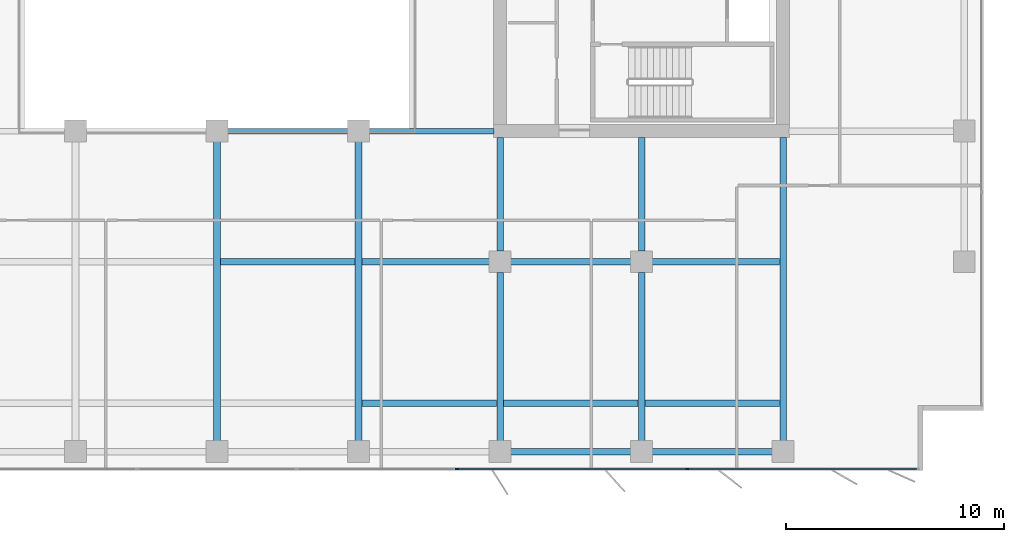
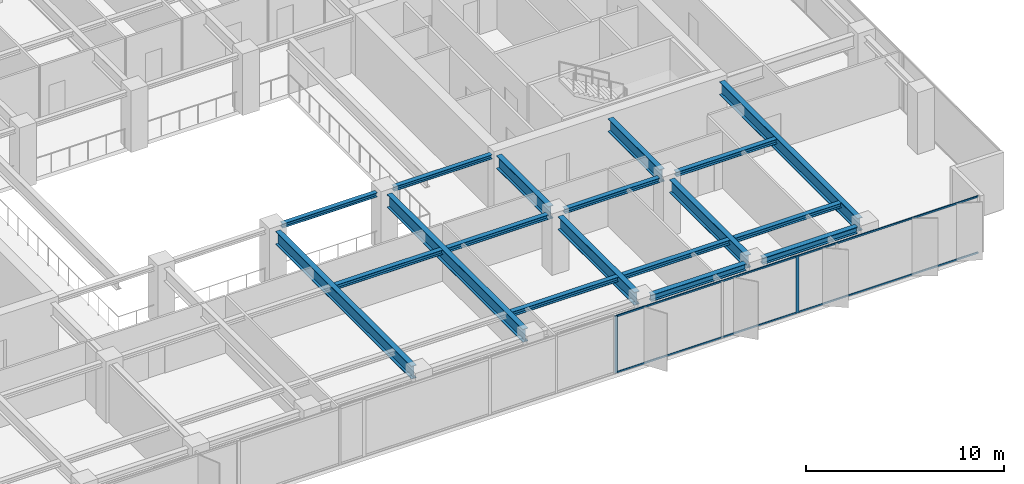
# One storey, part 6 of 22: 18 beams, 6 members, 1 element without a shape of its own.
"""IFC4 building model written with IfcOpenShell, lengths in metres."""

from ifc_helpers import new_model, si_unit, direction, frame, origin, origin_2d, place, context, subcontext, project, spatial, rectangle, i_section, extrude, material, layer, layer_set, material_profile, profile_set, type_object, element, aggregate, save


model = new_model("IFC4")

# Units and contexts
model_context = context("Model", 3, precision=1e-05, world=origin(), true_north=direction((0.0, 1.0)))
body_context = subcontext(model_context, "Body", "Model", "MODEL_VIEW")
ifc_project = project(units=[si_unit("LENGTHUNIT", "METRE"), si_unit("AREAUNIT", "SQUARE_METRE"), si_unit("VOLUMEUNIT", "CUBIC_METRE"), si_unit("PLANEANGLEUNIT", "RADIAN"), si_unit("MASSUNIT", "GRAM", prefix="KILO")], contexts=[model_context])

# Site, building, storey
site_placement = place(None, origin())
site = spatial("IfcSite", under=ifc_project, at=site_placement, CompositionType="ELEMENT")
building_placement = place(site_placement, origin())
building = spatial("IfcBuilding", under=site, at=building_placement, Name="Putna Gate Headquarters", CompositionType="ELEMENT")
storey_placement = place(building_placement, frame((0.0, 0.0, 193.60009765625)))
storey = spatial("IfcBuildingStorey", under=building, at=storey_placement, Name="L48", CompositionType="ELEMENT", Elevation=193.60009765625)

# Beams
ifc_material_1 = material(Name="Steel S355J2", Category="steel")
ifc_material_profile_1 = material_profile(ifc_material_1, i_section(OverallWidth=0.260009765625, OverallDepth=0.260009765625, WebThickness=0.010009765625, FlangeThickness=0.017578125, at=origin_2d()), Name="Steel S355J2")
ifc_profile_set_1 = profile_set([ifc_material_profile_1], Name="Steel S355J2")
beam_type_1 = type_object("IfcBeamType", Name="BM-ATRIUM-HEB260", PredefinedType="BEAM", material=ifc_profile_set_1)
beam_1_placement = place(storey_placement, frame((39.488037109375, 19.0, 3.389892578125), z_axis=(1.0, 0.0, 0.0), x_axis=(0.0, 1.0, 0.0)))
element("IfcBeam", 1, at=beam_1_placement, inside=storey, type_object=beam_type_1, Name="L48 Atrium Edge Beam AS3", PredefinedType="BEAM", context=body_context, shape_type="SweptSolid", body=[
    extrude(i_section(OverallWidth=0.260009765625, OverallDepth=0.260009765625, WebThickness=0.010009765625, FlangeThickness=0.017578125, at=origin_2d()), origin(), (0.0, 0.0, 1.0), 5.52392578125),
])
beam_2_placement = place(storey_placement, frame((45.988037109375, 19.0, 3.389892578125), z_axis=(1.0, 0.0, 0.0), x_axis=(0.0, 1.0, 0.0)))
element("IfcBeam", 2, at=beam_2_placement, inside=storey, type_object=beam_type_1, Name="L48 Atrium Edge Beam AS4", PredefinedType="BEAM", context=body_context, shape_type="SweptSolid", body=[
    extrude(i_section(OverallWidth=0.260009765625, OverallDepth=0.260009765625, WebThickness=0.010009765625, FlangeThickness=0.017578125, at=origin_2d()), origin(), (0.0, 0.0, 1.0), 5.72705078125),
])
ifc_material_profile_2 = material_profile(ifc_material_1, i_section(OverallWidth=0.300048828125, OverallDepth=0.800048828125, WebThickness=0.017578125, FlangeThickness=0.032958984375, at=origin_2d()), Name="Steel S355J2")
ifc_profile_set_2 = profile_set([ifc_material_profile_2], Name="Steel S355J2")
beam_type_2 = type_object("IfcBeamType", Name="BM-GIRD-P-HEB800", PredefinedType="USERDEFINED", material=ifc_profile_set_2)
for number, where, z_axis, x_axis, name in (
    (3, (39.0, 4.76806640625, 3.119873046875), (0.0, 1.0, 0.0), (-1.0, 0.0, 0.0), "L48 South Primary Girder X39"),
    (4, (45.5, 4.76806640625, 3.119873046875), (0.0, 1.0, 0.0), (-1.0, 0.0, 0.0), "L48 South Primary Girder X45"),
):
    element("IfcBeam", number, at=place(storey_placement, frame(where, z_axis=z_axis, x_axis=x_axis)), inside=storey, type_object=beam_type_2, Name=name, ObjectType="GIRDER", PredefinedType="USERDEFINED", context=body_context, shape_type="SweptSolid", body=[
        extrude(i_section(OverallWidth=0.300048828125, OverallDepth=0.800048828125, WebThickness=0.017578125, FlangeThickness=0.032958984375, at=origin_2d()), origin(), (0.0, 0.0, 1.0), 13.743896484375),
    ])
beam_3_placement = place(storey_placement, frame((52.0, 4.76806640625, 3.119873046875), z_axis=(0.0, 1.0, 0.0), x_axis=(-1.0, 0.0, 0.0)))
element("IfcBeam", 5, at=beam_3_placement, inside=storey, type_object=beam_type_2, Name="L48 South Primary Girder X52-1", ObjectType="GIRDER", PredefinedType="USERDEFINED", context=body_context, shape_type="SweptSolid", body=[
    extrude(i_section(OverallWidth=0.300048828125, OverallDepth=0.800048828125, WebThickness=0.017578125, FlangeThickness=0.032958984375, at=origin_2d()), origin(), (0.0, 0.0, 1.0), 7.743896484375),
])
beam_4_placement = place(storey_placement, frame((52.0, 13.488037109375, 3.119873046875), z_axis=(0.0, 1.0, 0.0), x_axis=(-1.0, 0.0, 0.0)))
element("IfcBeam", 6, at=beam_4_placement, inside=storey, type_object=beam_type_2, Name="L48 South Primary Girder X52-2", ObjectType="GIRDER", PredefinedType="USERDEFINED", context=body_context, shape_type="SweptSolid", body=[
    extrude(i_section(OverallWidth=0.300048828125, OverallDepth=0.800048828125, WebThickness=0.017578125, FlangeThickness=0.032958984375, at=origin_2d()), origin(), (0.0, 0.0, 1.0), 5.22705078125),
])
beam_5_placement = place(storey_placement, frame((58.5, 4.76806640625, 3.119873046875), z_axis=(0.0, 1.0, 0.0), x_axis=(-1.0, 0.0, 0.0)))
element("IfcBeam", 7, at=beam_5_placement, inside=storey, type_object=beam_type_2, Name="L48 South Primary Girder X58-1", ObjectType="GIRDER", PredefinedType="USERDEFINED", context=body_context, shape_type="SweptSolid", body=[
    extrude(i_section(OverallWidth=0.300048828125, OverallDepth=0.800048828125, WebThickness=0.017578125, FlangeThickness=0.032958984375, at=origin_2d()), origin(), (0.0, 0.0, 1.0), 7.743896484375),
])
beam_6_placement = place(storey_placement, frame((58.5, 13.488037109375, 3.119873046875), z_axis=(0.0, 1.0, 0.0), x_axis=(-1.0, 0.0, 0.0)))
element("IfcBeam", 8, at=beam_6_placement, inside=storey, type_object=beam_type_2, Name="L48 South Primary Girder X58-2", ObjectType="GIRDER", PredefinedType="USERDEFINED", context=body_context, shape_type="SweptSolid", body=[
    extrude(i_section(OverallWidth=0.300048828125, OverallDepth=0.800048828125, WebThickness=0.017578125, FlangeThickness=0.032958984375, at=origin_2d()), origin(), (0.0, 0.0, 1.0), 5.22705078125),
])
beam_7_placement = place(storey_placement, frame((65.0, 4.76806640625, 3.119873046875), z_axis=(0.0, 1.0, 0.0), x_axis=(-1.0, 0.0, 0.0)))
element("IfcBeam", 9, at=beam_7_placement, inside=storey, type_object=beam_type_2, Name="L48 South Primary Girder X65", ObjectType="GIRDER", PredefinedType="USERDEFINED", context=body_context, shape_type="SweptSolid", body=[
    extrude(i_section(OverallWidth=0.300048828125, OverallDepth=0.800048828125, WebThickness=0.017578125, FlangeThickness=0.032958984375, at=origin_2d()), origin(), (0.0, 0.0, 1.0), 13.947021484375),
])
ifc_material_profile_3 = material_profile(ifc_material_1, i_section(OverallWidth=0.300048828125, OverallDepth=0.39990234375, WebThickness=0.013427734375, FlangeThickness=0.02392578125, at=origin_2d()), Name="Steel S355J2")
ifc_profile_set_3 = profile_set([ifc_material_profile_3], Name="Steel S355J2")
beam_type_3 = type_object("IfcBeamType", Name="BM-SPAN-Z3-HEB400", PredefinedType="SPANDREL", material=ifc_profile_set_3)
for number, where, z_axis, x_axis, name in (
    (10, (52.488037109375, 4.280029296875, 3.31982421875), (1.0, 0.0, 0.0), (0.0, 1.0, 0.0), "L48 S Perimeter Spandrel 7"),
    (11, (58.988037109375, 4.280029296875, 3.31982421875), (1.0, 0.0, 0.0), (0.0, 1.0, 0.0), "L48 S Perimeter Spandrel 8"),
):
    element("IfcBeam", number, at=place(storey_placement, frame(where, z_axis=z_axis, x_axis=x_axis)), inside=storey, type_object=beam_type_3, Name=name, PredefinedType="SPANDREL", context=body_context, shape_type="SweptSolid", body=[
        extrude(i_section(OverallWidth=0.300048828125, OverallDepth=0.39990234375, WebThickness=0.013427734375, FlangeThickness=0.02392578125, at=origin_2d()), origin(), (0.0, 0.0, 1.0), 5.52392578125),
    ])
ifc_material_profile_4 = material_profile(ifc_material_1, i_section(OverallWidth=0.280029296875, OverallDepth=0.280029296875, WebThickness=0.010498046875, FlangeThickness=0.01806640625, at=origin_2d()), Name="Steel S355J2")
ifc_profile_set_4 = profile_set([ifc_material_profile_4], Name="Steel S355J2")
beam_type_4 = type_object("IfcBeamType", Name="BM-SPAN-Z5-HEB280", PredefinedType="SPANDREL", material=ifc_profile_set_4)
for number, where, z_axis, x_axis, name in (
    (12, (39.154052734375, 13.0, 3.3798828125), (1.0, 0.0, 0.0), (0.0, 1.0, 0.0), "L48 South Secondary Beam 5"),
    (13, (45.654052734375, 6.5, 3.3798828125), (1.0, 0.0, 0.0), (0.0, 1.0, 0.0), "L48 South Secondary Beam 6"),
):
    element("IfcBeam", number, at=place(storey_placement, frame(where, z_axis=z_axis, x_axis=x_axis)), inside=storey, type_object=beam_type_4, Name=name, PredefinedType="SPANDREL", context=body_context, shape_type="SweptSolid", body=[
        extrude(i_section(OverallWidth=0.280029296875, OverallDepth=0.280029296875, WebThickness=0.010498046875, FlangeThickness=0.01806640625, at=origin_2d()), origin(), (0.0, 0.0, 1.0), 6.19189453125),
    ])
beam_8_placement = place(storey_placement, frame((45.654052734375, 13.0, 3.3798828125), z_axis=(1.0, 0.0, 0.0), x_axis=(0.0, 1.0, 0.0)))
element("IfcBeam", 14, at=beam_8_placement, inside=storey, type_object=beam_type_4, Name="L48 South Secondary Beam 6", PredefinedType="SPANDREL", context=body_context, shape_type="SweptSolid", body=[
    extrude(i_section(OverallWidth=0.280029296875, OverallDepth=0.280029296875, WebThickness=0.010498046875, FlangeThickness=0.01806640625, at=origin_2d()), origin(), (0.0, 0.0, 1.0), 5.85791015625),
])
beam_9_placement = place(storey_placement, frame((52.154052734375, 6.5, 3.3798828125), z_axis=(1.0, 0.0, 0.0), x_axis=(0.0, 1.0, 0.0)))
element("IfcBeam", 15, at=beam_9_placement, inside=storey, type_object=beam_type_4, Name="L48 South Secondary Beam 7", PredefinedType="SPANDREL", context=body_context, shape_type="SweptSolid", body=[
    extrude(i_section(OverallWidth=0.280029296875, OverallDepth=0.280029296875, WebThickness=0.010498046875, FlangeThickness=0.01806640625, at=origin_2d()), origin(), (0.0, 0.0, 1.0), 6.19189453125),
])
beam_10_placement = place(storey_placement, frame((52.488037109375, 13.0, 3.3798828125), z_axis=(1.0, 0.0, 0.0), x_axis=(0.0, 1.0, 0.0)))
element("IfcBeam", 16, at=beam_10_placement, inside=storey, type_object=beam_type_4, Name="L48 South Secondary Beam 7", PredefinedType="SPANDREL", context=body_context, shape_type="SweptSolid", body=[
    extrude(i_section(OverallWidth=0.280029296875, OverallDepth=0.280029296875, WebThickness=0.010498046875, FlangeThickness=0.01806640625, at=origin_2d()), origin(), (0.0, 0.0, 1.0), 5.52392578125),
])
beam_11_placement = place(storey_placement, frame((58.654052734375, 6.5, 3.3798828125), z_axis=(1.0, 0.0, 0.0), x_axis=(0.0, 1.0, 0.0)))
element("IfcBeam", 17, at=beam_11_placement, inside=storey, type_object=beam_type_4, Name="L48 South Secondary Beam 8", PredefinedType="SPANDREL", context=body_context, shape_type="SweptSolid", body=[
    extrude(i_section(OverallWidth=0.280029296875, OverallDepth=0.280029296875, WebThickness=0.010498046875, FlangeThickness=0.01806640625, at=origin_2d()), origin(), (0.0, 0.0, 1.0), 6.19189453125),
])
beam_12_placement = place(storey_placement, frame((58.988037109375, 13.0, 3.3798828125), z_axis=(1.0, 0.0, 0.0), x_axis=(0.0, 1.0, 0.0)))
element("IfcBeam", 18, at=beam_12_placement, inside=storey, type_object=beam_type_4, Name="L48 South Secondary Beam 8", PredefinedType="SPANDREL", context=body_context, shape_type="SweptSolid", body=[
    extrude(i_section(OverallWidth=0.280029296875, OverallDepth=0.280029296875, WebThickness=0.010498046875, FlangeThickness=0.01806640625, at=origin_2d()), origin(), (0.0, 0.0, 1.0), 5.85791015625),
])

# Curtain wall, members
ifc_material_2 = material(Name="Anodised bronze aluminium curtain wall", Category="aluminium")
ifc_layer = layer(ifc_material_2, 0.159912109375)
ifc_layer_set = layer_set([ifc_layer], Name="Anodised bronze aluminium curtain wall")
curtain_wall_type = type_object("IfcCurtainWallType", Name="CW-SYS-Z3", PredefinedType="USERDEFINED", material=ifc_layer_set)
curtain_wall_placement = place(storey_placement, origin())
curtain_wall = element("IfcCurtainWall", 19, at=curtain_wall_placement, inside=storey, type_object=curtain_wall_type, Name="L48 South East Curtain Wall", ObjectType="STICK CURTAIN WALL", PredefinedType="USERDEFINED")
ifc_material_3 = material(Name="Anodised bronze aluminium EN AW-6060", Category="aluminium")
ifc_material_profile_5 = material_profile(ifc_material_3, rectangle(XDim=0.06494140625, YDim=0.159912109375, at=origin_2d()), Name="Anodised bronze aluminium EN AW-6060")
ifc_profile_set_5 = profile_set([ifc_material_profile_5], Name="Anodised bronze aluminium EN AW-6060")
member_type_1 = type_object("IfcMemberType", Name="MULL-CWM-3", PredefinedType="MULLION", material=ifc_profile_set_5)
member_1_placement = place(storey_placement, frame((50.032470703125, 3.47998046875, 0.0), z_axis=(0.0, 0.0, 1.0), x_axis=(0.0, 1.0, 0.0)))
member_1 = element("IfcMember", 20, at=member_1_placement, type_object=member_type_1, Name="CWS-3 mullion 1", PredefinedType="MULLION", context=body_context, shape_type="SweptSolid", body=[
    extrude(rectangle(XDim=0.06494140625, YDim=0.159912109375, at=origin_2d()), origin(), (0.0, 0.0, 1.0), 3.52001953125),
])
member_2_placement = place(storey_placement, frame((60.60009765625, 3.47998046875, 0.0), z_axis=(0.0, 0.0, 1.0), x_axis=(0.0, 1.0, 0.0)))
member_2 = element("IfcMember", 21, at=member_2_placement, type_object=member_type_1, Name="CWS-3 mullion 2", PredefinedType="MULLION", context=body_context, shape_type="SweptSolid", body=[
    extrude(rectangle(XDim=0.06494140625, YDim=0.159912109375, at=origin_2d()), origin(), (0.0, 0.0, 1.0), 3.52001953125),
])
ifc_material_profile_6 = material_profile(ifc_material_3, rectangle(XDim=0.06005859375, YDim=0.10009765625, at=origin_2d()), Name="Anodised bronze aluminium EN AW-6060")
ifc_profile_set_6 = profile_set([ifc_material_profile_6], Name="Anodised bronze aluminium EN AW-6060")
member_type_2 = type_object("IfcMemberType", Name="TRAN-CWT-3", PredefinedType="USERDEFINED", material=ifc_profile_set_6)
member_3_placement = place(storey_placement, frame((50.06494140625, 3.47998046875, 0.02978515625), z_axis=(1.0, 0.0, 0.0), x_axis=(0.0, 1.0, 0.0)))
member_3 = element("IfcMember", 22, at=member_3_placement, type_object=member_type_2, Name="CWS-3 transom 1.1", ObjectType="TRANSOM", PredefinedType="USERDEFINED", context=body_context, shape_type="SweptSolid", body=[
    extrude(rectangle(XDim=0.06005859375, YDim=0.10009765625, at=origin_2d()), origin(), (0.0, 0.0, 1.0), 10.50244140625),
])
member_4_placement = place(storey_placement, frame((50.06494140625, 3.47998046875, 3.489990234375), z_axis=(1.0, 0.0, 0.0), x_axis=(0.0, 1.0, 0.0)))
member_4 = element("IfcMember", 23, at=member_4_placement, type_object=member_type_2, Name="CWS-3 transom 1.2", ObjectType="TRANSOM", PredefinedType="USERDEFINED", context=body_context, shape_type="SweptSolid", body=[
    extrude(rectangle(XDim=0.06005859375, YDim=0.10009765625, at=origin_2d()), origin(), (0.0, 0.0, 1.0), 10.50244140625),
])
member_5_placement = place(storey_placement, frame((60.632568359375, 3.47998046875, 0.02978515625), z_axis=(1.0, 0.0, 0.0), x_axis=(0.0, 1.0, 0.0)))
member_5 = element("IfcMember", 24, at=member_5_placement, type_object=member_type_2, Name="CWS-3 transom 2.1", ObjectType="TRANSOM", PredefinedType="USERDEFINED", context=body_context, shape_type="SweptSolid", body=[
    extrude(rectangle(XDim=0.06005859375, YDim=0.10009765625, at=origin_2d()), origin(), (0.0, 0.0, 1.0), 10.50244140625),
])
member_6_placement = place(storey_placement, frame((60.632568359375, 3.47998046875, 3.489990234375), z_axis=(1.0, 0.0, 0.0), x_axis=(0.0, 1.0, 0.0)))
member_6 = element("IfcMember", 25, at=member_6_placement, type_object=member_type_2, Name="CWS-3 transom 2.2", ObjectType="TRANSOM", PredefinedType="USERDEFINED", context=body_context, shape_type="SweptSolid", body=[
    extrude(rectangle(XDim=0.06005859375, YDim=0.10009765625, at=origin_2d()), origin(), (0.0, 0.0, 1.0), 10.50244140625),
])
aggregate(curtain_wall, [member_1, member_2, member_3, member_4, member_5, member_6])

save(model, "model.ifc")
